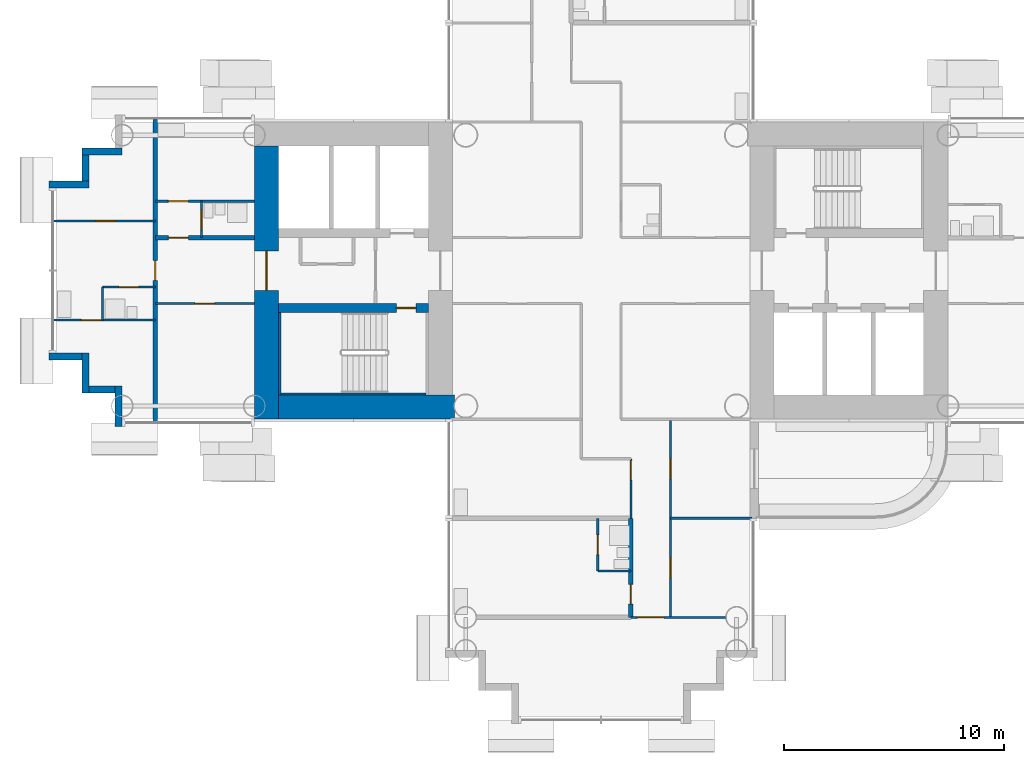
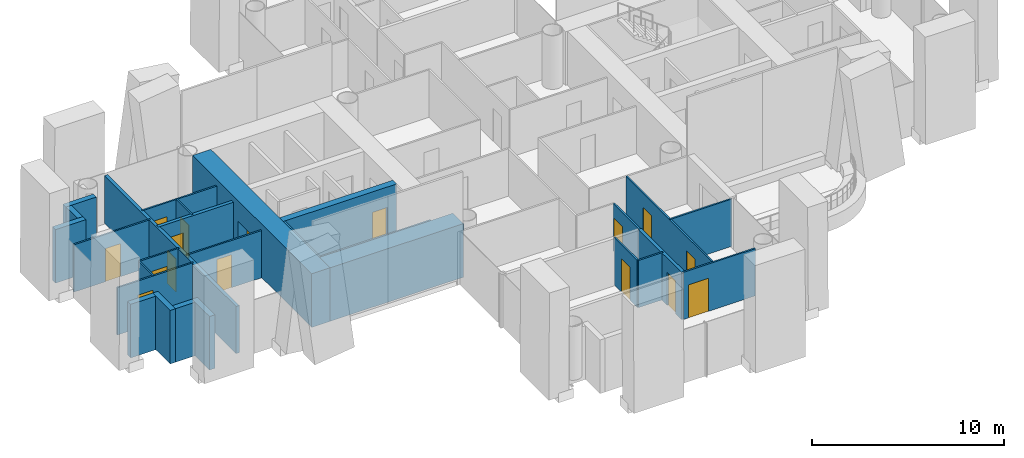
# One storey, part 10 of 23: 28 walls, 16 doors, 16 openings.
"""IFC4 building model written with IfcOpenShell, lengths in metres."""

from ifc_helpers import new_model, si_unit, direction, frame, frame_2d, origin, place, context, subcontext, project, spatial, rectangle, extrude, material, layer, layer_set, type_object, element, fill, save


model = new_model("IFC4")

# Units and contexts
model_context = context("Model", 3, precision=1e-05, world=origin(), true_north=direction((0.0, 1.0)))
body_context = subcontext(model_context, "Body", "Model", "MODEL_VIEW")
ifc_project = project(units=[si_unit("LENGTHUNIT", "METRE"), si_unit("AREAUNIT", "SQUARE_METRE"), si_unit("VOLUMEUNIT", "CUBIC_METRE"), si_unit("PLANEANGLEUNIT", "RADIAN"), si_unit("MASSUNIT", "GRAM", prefix="KILO")], contexts=[model_context])

# Site, building, storey
site_placement = place(None, origin())
site = spatial("IfcSite", under=ifc_project, at=site_placement, CompositionType="ELEMENT")
building_placement = place(site_placement, origin())
building = spatial("IfcBuilding", under=site, at=building_placement, Name="Ipe Terrace Towers", CompositionType="ELEMENT")
storey_placement = place(building_placement, frame((0.0, 0.0, 44.89990234375)))
storey = spatial("IfcBuildingStorey", under=building, at=storey_placement, Name="L11", CompositionType="ELEMENT", Elevation=44.89990234375)

# Walls
ifc_material_1 = material(Name="Concrete C40/50 with buff precast cladding", Category="concrete")
ifc_layer_1 = layer(ifc_material_1, 0.320068359375)
ifc_layer_set_1 = layer_set([ifc_layer_1], Name="BUFF CLADDING WALL 320")
wall_type_1 = type_object("IfcWallType", Name="BUFF CLADDING WALL 320", PredefinedType="STANDARD", material=ifc_layer_set_1)
wall_1_placement = place(storey_placement, frame((-61.070068359375, -3.909912109375, -0.2998046875), z_axis=(0.0, 0.0, 1.0), x_axis=(1.0, 0.0, 0.0)))
element("IfcWall", 1, at=wall_1_placement, inside=storey, type_object=wall_type_1, Name="T1-W-L11-00a wall", PredefinedType="STANDARD", context=body_context, shape_type="SweptSolid", body=[
    extrude(rectangle(XDim=1.5, YDim=0.320068359375, at=frame_2d((0.75, 0.0))), origin(), (0.0, 0.0, 1.0), 3.39990234375),
])
wall_2_placement = place(storey_placement, frame((-59.409912109375, -3.75, -0.2998046875), z_axis=(0.0, 0.0, 1.0), x_axis=(0.0, -1.0, 0.0)))
element("IfcWall", 2, at=wall_2_placement, inside=storey, type_object=wall_type_1, Name="T1-W-L11-01a wall", PredefinedType="STANDARD", context=body_context, shape_type="SweptSolid", body=[
    extrude(rectangle(XDim=1.820068359375, YDim=0.320068359375, at=frame_2d((0.91015625, 0.0))), origin(), (0.0, 0.0, 1.0), 3.39990234375),
])
wall_3_placement = place(storey_placement, frame((-59.25, -5.409912109375, -0.2998046875), z_axis=(0.0, 0.0, 1.0), x_axis=(1.0, 0.0, 0.0)))
element("IfcWall", 3, at=wall_3_placement, inside=storey, type_object=wall_type_1, Name="T1-W-L11-02a wall", PredefinedType="STANDARD", context=body_context, shape_type="SweptSolid", body=[
    extrude(rectangle(XDim=1.179931640625, YDim=0.320068359375, at=frame_2d((0.58984375, 0.0))), origin(), (0.0, 0.0, 1.0), 3.39990234375),
])
for number, where, z_axis, x_axis, name in (
    (4, (-57.909912109375, -5.25, -0.2998046875), (0.0, 0.0, 1.0), (0.0, -1.0, 0.0), "T1-W-L11-03a wall"),
    (5, (-57.75, 5.409912109375, -0.2998046875), (0.0, 0.0, 1.0), (-1.0, 0.0, 0.0), "T1-W-L11-48a wall"),
):
    element("IfcWall", number, at=place(storey_placement, frame(where, z_axis=z_axis, x_axis=x_axis)), inside=storey, type_object=wall_type_1, Name=name, PredefinedType="STANDARD", context=body_context, shape_type="SweptSolid", body=[
        extrude(rectangle(XDim=1.820068359375, YDim=0.320068359375, at=frame_2d((0.91015625, 0.0))), origin(), (0.0, 0.0, 1.0), 3.39990234375),
    ])
wall_4_placement = place(storey_placement, frame((-59.409912109375, 5.25, -0.2998046875), z_axis=(0.0, 0.0, 1.0), x_axis=(0.0, -1.0, 0.0)))
element("IfcWall", 6, at=wall_4_placement, inside=storey, type_object=wall_type_1, Name="T1-W-L11-49a wall", PredefinedType="STANDARD", context=body_context, shape_type="SweptSolid", body=[
    extrude(rectangle(XDim=1.179931640625, YDim=0.320068359375, at=frame_2d((0.58984375, 0.0))), origin(), (0.0, 0.0, 1.0), 3.39990234375),
])
wall_5_placement = place(storey_placement, frame((-59.25, 3.909912109375, -0.2998046875), z_axis=(0.0, 0.0, 1.0), x_axis=(-1.0, 0.0, 0.0)))
element("IfcWall", 7, at=wall_5_placement, inside=storey, type_object=wall_type_1, Name="T1-W-L11-50a wall", PredefinedType="STANDARD", context=body_context, shape_type="SweptSolid", body=[
    extrude(rectangle(XDim=1.820068359375, YDim=0.320068359375, at=frame_2d((0.91015625, 0.0))), origin(), (0.0, 0.0, 1.0), 3.39990234375),
])
ifc_material_2 = material(Name="Gypsum board partition", Category="plasterboard")
ifc_layer_2 = layer(ifc_material_2, 0.10009765625)
ifc_layer_set_2 = layer_set([ifc_layer_2], Name="Gypsum board partition 100 mm")
wall_type_2 = type_object("IfcWallType", Name="Gypsum board partition 100 mm", PredefinedType="PARTITIONING", material=ifc_layer_set_2)
wall_6_placement = place(storey_placement, frame((-58.64990234375, -2.25, 0.0), z_axis=(0.0, 0.0, 1.0), x_axis=(0.0, 1.0, 0.0)))
element("IfcWall", 8, at=wall_6_placement, inside=storey, type_object=wall_type_2, Name="Gypsum board partition T1 L11 W01", PredefinedType="PARTITIONING", context=body_context, shape_type="SweptSolid", body=[
    extrude(rectangle(XDim=1.5, YDim=0.10009765625, at=frame_2d((0.75, 0.0))), origin(), (0.0, 0.0, 1.0), 3.0),
])

# Wall, opening, door
wall_7_placement = place(storey_placement, frame((-54.14990234375, 1.5, 0.0), z_axis=(0.0, 0.0, 1.0), x_axis=(0.0, 1.0, 0.0)))
wall_7 = element("IfcWall", 9, at=wall_7_placement, inside=storey, type_object=wall_type_2, Name="Gypsum board partition T1 L11 W03", PredefinedType="PARTITIONING", context=body_context, shape_type="SweptSolid", body=[
    extrude(rectangle(XDim=1.64990234375, YDim=0.10009765625, at=frame_2d((0.824951171875, 0.0))), origin(), (0.0, 0.0, 1.0), 3.0),
])
opening_1_placement = place(wall_7_placement, frame((0.35009765625, 0.0, 0.0)))
opening_1 = element("IfcOpeningElement", 10, at=opening_1_placement, cuts=wall_7, Name="Opening T1-Z1C-25", PredefinedType="OPENING", context=body_context, shape_type="SweptSolid", body=[
    extrude(rectangle(XDim=0.89990234375, YDim=2.10009765625, at=frame_2d((0.449951171875, 1.050048828125))), frame((0.0, 0.06005859375, 0.0), z_axis=(0.0, -1.0, 0.0), x_axis=(1.0, 0.0, 0.0)), (0.0, 0.0, 1.0), 0.1201171875),
])
ifc_material_3 = material(Name="Timber door leaf", Category="wood")
door_type_1 = type_object("IfcDoorType", Name="Bathroom door 900 x 2100", OperationType="NOTDEFINED", PredefinedType="DOOR", material=ifc_material_3)
door_1_placement = place(opening_1_placement, origin())
door_1 = element("IfcDoor", 11, at=door_1_placement, inside=storey, type_object=door_type_1, Name="Bathroom door T1-Z1C-25", OperationType="SINGLE_SWING_LEFT", OverallHeight=2.10009765625, OverallWidth=0.89990234375, PredefinedType="DOOR", context=body_context, shape_type="SweptSolid", body=[
    extrude(rectangle(XDim=0.89990234375, YDim=2.10009765625, at=frame_2d((0.449951171875, 1.050048828125))), frame((0.0, 0.02490234375, 0.0), z_axis=(0.0, -1.0, 0.0), x_axis=(1.0, 0.0, 0.0)), (0.0, 0.0, 1.0), 0.050048828125),
])
fill(opening_1, door_1)

wall_8_placement = place(storey_placement, frame((-36.14990234375, -13.64990234375, 0.0), z_axis=(0.0, 0.0, 1.0), x_axis=(0.0, 1.0, 0.0)))
wall_8 = element("IfcWall", 12, at=wall_8_placement, inside=storey, type_object=wall_type_2, Name="Gypsum board partition T1 L11 W09", PredefinedType="PARTITIONING", context=body_context, shape_type="SweptSolid", body=[
    extrude(rectangle(XDim=2.39990234375, YDim=0.10009765625, at=frame_2d((1.199951171875, 0.0))), origin(), (0.0, 0.0, 1.0), 3.0),
])
opening_2_placement = place(wall_8_placement, frame((0.75, 0.0, 0.0)))
opening_2 = element("IfcOpeningElement", 13, at=opening_2_placement, cuts=wall_8, Name="Opening T1-Z1C-16", PredefinedType="OPENING", context=body_context, shape_type="SweptSolid", body=[
    extrude(rectangle(XDim=0.89990234375, YDim=2.10009765625, at=frame_2d((0.449951171875, 1.050048828125))), frame((0.0, 0.06005859375, 0.0), z_axis=(0.0, -1.0, 0.0), x_axis=(1.0, 0.0, 0.0)), (0.0, 0.0, 1.0), 0.1201171875),
])
door_2_placement = place(opening_2_placement, origin())
door_2 = element("IfcDoor", 14, at=door_2_placement, inside=storey, type_object=door_type_1, Name="Bathroom door T1-Z1C-16", OperationType="SINGLE_SWING_RIGHT", OverallHeight=2.10009765625, OverallWidth=0.89990234375, PredefinedType="DOOR", context=body_context, shape_type="SweptSolid", body=[
    extrude(rectangle(XDim=0.89990234375, YDim=2.10009765625, at=frame_2d((0.449951171875, 1.050048828125))), frame((0.0, 0.02490234375, 0.0), z_axis=(0.0, -1.0, 0.0), x_axis=(1.0, 0.0, 0.0)), (0.0, 0.0, 1.0), 0.050048828125),
])
fill(opening_2, door_2)

wall_9_placement = place(storey_placement, frame((-34.64990234375, -11.25, 0.0), z_axis=(0.0, 0.0, 1.0), x_axis=(0.0, 1.0, 0.0)))
wall_9 = element("IfcWall", 15, at=wall_9_placement, inside=storey, type_object=wall_type_2, Name="Gypsum board partition T1 L11 W13", PredefinedType="PARTITIONING", context=body_context, shape_type="SweptSolid", body=[
    extrude(rectangle(XDim=2.699951171875, YDim=0.10009765625, at=frame_2d((1.35009765625, 0.0))), origin(), (0.0, 0.0, 1.0), 3.0),
])
opening_3_placement = place(wall_9_placement, frame((1.72998046875, 0.0, 0.0)))
opening_3 = element("IfcOpeningElement", 16, at=opening_3_placement, cuts=wall_9, Name="Opening T1-Z1C-14", PredefinedType="OPENING", context=body_context, shape_type="SweptSolid", body=[
    extrude(rectangle(XDim=0.89990234375, YDim=2.10009765625, at=frame_2d((0.449951171875, 1.050048828125))), frame((0.0, 0.06005859375, 0.0), z_axis=(0.0, -1.0, 0.0), x_axis=(1.0, 0.0, 0.0)), (0.0, 0.0, 1.0), 0.1201171875),
])
ifc_material_4 = material(Name="Timber door leaf", Category="wood")
door_type_2 = type_object("IfcDoorType", Name="Lounge door 900 x 2100", OperationType="NOTDEFINED", PredefinedType="DOOR", material=ifc_material_4)
door_3_placement = place(opening_3_placement, origin())
door_3 = element("IfcDoor", 17, at=door_3_placement, inside=storey, type_object=door_type_2, Name="Lounge door T1-Z1C-14", OperationType="SINGLE_SWING_LEFT", OverallHeight=2.10009765625, OverallWidth=0.89990234375, PredefinedType="DOOR", context=body_context, shape_type="SweptSolid", body=[
    extrude(rectangle(XDim=0.89990234375, YDim=2.10009765625, at=frame_2d((0.449951171875, 1.050048828125))), frame((0.0, 0.02490234375, 0.0), z_axis=(0.0, -1.0, 0.0), x_axis=(1.0, 0.0, 0.0)), (0.0, 0.0, 1.0), 0.050048828125),
])
fill(opening_3, door_3)

# Wall, openings, doors
wall_10_placement = place(storey_placement, frame((-32.85009765625, -15.75, 0.0), z_axis=(0.0, 0.0, 1.0), x_axis=(0.0, 1.0, 0.0)))
wall_10 = element("IfcWall", 18, at=wall_10_placement, inside=storey, type_object=wall_type_2, Name="Gypsum board partition T1 L11 W16", PredefinedType="PARTITIONING", context=body_context, shape_type="SweptSolid", body=[
    extrude(rectangle(XDim=9.0, YDim=0.10009765625, at=frame_2d((4.5, 0.0))), origin(), (0.0, 0.0, 1.0), 3.0),
])
opening_4_placement = place(wall_10_placement, frame((6.300048828125, 0.0, 0.0)))
opening_4 = element("IfcOpeningElement", 19, at=opening_4_placement, cuts=wall_10, Name="Opening T1-Z1C-12", PredefinedType="OPENING", context=body_context, shape_type="SweptSolid", body=[
    extrude(rectangle(XDim=0.89990234375, YDim=2.10009765625, at=frame_2d((0.449951171875, 1.050048828125))), frame((0.0, 0.06005859375, 0.0), z_axis=(0.0, -1.0, 0.0), x_axis=(1.0, 0.0, 0.0)), (0.0, 0.0, 1.0), 0.1201171875),
])
opening_5_placement = place(wall_10_placement, frame((1.800048828125, 0.0, 0.0)))
opening_5 = element("IfcOpeningElement", 20, at=opening_5_placement, cuts=wall_10, Name="Opening T1-Z1C-13", PredefinedType="OPENING", context=body_context, shape_type="SweptSolid", body=[
    extrude(rectangle(XDim=0.89990234375, YDim=2.10009765625, at=frame_2d((0.449951171875, 1.050048828125))), frame((0.0, 0.06005859375, 0.0), z_axis=(0.0, -1.0, 0.0), x_axis=(1.0, 0.0, 0.0)), (0.0, 0.0, 1.0), 0.1201171875),
])
door_4_placement = place(opening_4_placement, origin())
door_4 = element("IfcDoor", 21, at=door_4_placement, inside=storey, type_object=door_type_2, Name="Lounge door T1-Z1C-12", OperationType="SINGLE_SWING_RIGHT", OverallHeight=2.10009765625, OverallWidth=0.89990234375, PredefinedType="DOOR", context=body_context, shape_type="SweptSolid", body=[
    extrude(rectangle(XDim=0.89990234375, YDim=2.10009765625, at=frame_2d((0.449951171875, 1.050048828125))), frame((0.0, 0.02490234375, 0.0), z_axis=(0.0, -1.0, 0.0), x_axis=(1.0, 0.0, 0.0)), (0.0, 0.0, 1.0), 0.050048828125),
])
fill(opening_4, door_4)
door_5_placement = place(opening_5_placement, origin())
door_5 = element("IfcDoor", 22, at=door_5_placement, inside=storey, type_object=door_type_2, Name="Lounge door T1-Z1C-13", OperationType="SINGLE_SWING_LEFT", OverallHeight=2.10009765625, OverallWidth=0.89990234375, PredefinedType="DOOR", context=body_context, shape_type="SweptSolid", body=[
    extrude(rectangle(XDim=0.89990234375, YDim=2.10009765625, at=frame_2d((0.449951171875, 1.050048828125))), frame((0.0, 0.02490234375, 0.0), z_axis=(0.0, -1.0, 0.0), x_axis=(1.0, 0.0, 0.0)), (0.0, 0.0, 1.0), 0.050048828125),
])
fill(opening_5, door_5)

# Wall, opening, door
wall_11_placement = place(storey_placement, frame((-34.64990234375, -15.75, 0.0), z_axis=(0.0, 0.0, 1.0), x_axis=(1.0, 0.0, 0.0)))
wall_11 = element("IfcWall", 23, at=wall_11_placement, inside=storey, type_object=wall_type_2, Name="Gypsum board partition T1 L11 W20", PredefinedType="PARTITIONING", context=body_context, shape_type="SweptSolid", body=[
    extrude(rectangle(XDim=4.2998046875, YDim=0.10009765625, at=frame_2d((2.14990234375, 0.0))), origin(), (0.0, 0.0, 1.0), 3.0),
])
opening_6_placement = place(wall_11_placement, frame((0.300048828125, 0.0, 0.0)))
opening_6 = element("IfcOpeningElement", 24, at=opening_6_placement, cuts=wall_11, Name="Opening T1-Z1C-17", PredefinedType="OPENING", context=body_context, shape_type="SweptSolid", body=[
    extrude(rectangle(XDim=1.199951171875, YDim=2.10009765625, at=frame_2d((0.60009765625, 1.050048828125))), frame((0.0, 0.06005859375, 0.0), z_axis=(0.0, -1.0, 0.0), x_axis=(1.0, 0.0, 0.0)), (0.0, 0.0, 1.0), 0.1201171875),
])
ifc_material_5 = material(Name="Timber door leaf", Category="wood")
door_type_3 = type_object("IfcDoorType", Name="Lounge door 1200 x 2100", OperationType="NOTDEFINED", PredefinedType="DOOR", material=ifc_material_5)
door_6_placement = place(opening_6_placement, origin())
door_6 = element("IfcDoor", 25, at=door_6_placement, inside=storey, type_object=door_type_3, Name="Lounge door T1-Z1C-17", OperationType="SINGLE_SWING_LEFT", OverallHeight=2.10009765625, OverallWidth=1.199951171875, PredefinedType="DOOR", context=body_context, shape_type="SweptSolid", body=[
    extrude(rectangle(XDim=1.199951171875, YDim=2.10009765625, at=frame_2d((0.60009765625, 1.050048828125))), frame((0.0, 0.02490234375, 0.0), z_axis=(0.0, -1.0, 0.0), x_axis=(1.0, 0.0, 0.0)), (0.0, 0.0, 1.0), 0.050048828125),
])
fill(opening_6, door_6)

# Walls
wall_12_placement = place(storey_placement, frame((-36.14990234375, -13.64990234375, 0.0), z_axis=(0.0, 0.0, 1.0), x_axis=(1.0, 0.0, 0.0)))
element("IfcWall", 26, at=wall_12_placement, inside=storey, type_object=wall_type_2, Name="Gypsum board partition T1 L11 W22", PredefinedType="PARTITIONING", context=body_context, shape_type="SweptSolid", body=[
    extrude(rectangle(XDim=1.5, YDim=0.10009765625, at=frame_2d((0.75, 0.0))), origin(), (0.0, 0.0, 1.0), 3.0),
])
wall_13_placement = place(storey_placement, frame((-32.85009765625, -11.25, 0.0), z_axis=(0.0, 0.0, 1.0), x_axis=(1.0, 0.0, 0.0)))
element("IfcWall", 27, at=wall_13_placement, inside=storey, type_object=wall_type_2, Name="Gypsum board partition T1 L11 W23", PredefinedType="PARTITIONING", context=body_context, shape_type="SweptSolid", body=[
    extrude(rectangle(XDim=3.7001953125, YDim=0.10009765625, at=frame_2d((1.85009765625, 0.0))), origin(), (0.0, 0.0, 1.0), 3.0),
])

# Wall, opening, door
wall_14_placement = place(storey_placement, frame((-60.85009765625, -2.25, 0.0), z_axis=(0.0, 0.0, 1.0), x_axis=(1.0, 0.0, 0.0)))
wall_14 = element("IfcWall", 28, at=wall_14_placement, inside=storey, type_object=wall_type_2, Name="Gypsum board partition T1 L11 W28", PredefinedType="PARTITIONING", context=body_context, shape_type="SweptSolid", body=[
    extrude(rectangle(XDim=4.60009765625, YDim=0.10009765625, at=frame_2d((2.300048828125, 0.0))), origin(), (0.0, 0.0, 1.0), 3.0),
])
opening_7_placement = place(wall_14_placement, frame((1.25, 0.0, 0.0)))
opening_7 = element("IfcOpeningElement", 29, at=opening_7_placement, cuts=wall_14, Name="Opening T1-Z1C-28", PredefinedType="OPENING", context=body_context, shape_type="SweptSolid", body=[
    extrude(rectangle(XDim=0.89990234375, YDim=2.10009765625, at=frame_2d((0.449951171875, 1.050048828125))), frame((0.0, 0.06005859375, 0.0), z_axis=(0.0, -1.0, 0.0), x_axis=(1.0, 0.0, 0.0)), (0.0, 0.0, 1.0), 0.1201171875),
])
door_7_placement = place(opening_7_placement, origin())
door_7 = element("IfcDoor", 30, at=door_7_placement, inside=storey, type_object=door_type_2, Name="Lounge door T1-Z1C-28", OperationType="SINGLE_SWING_LEFT", OverallHeight=2.10009765625, OverallWidth=0.89990234375, PredefinedType="DOOR", context=body_context, shape_type="SweptSolid", body=[
    extrude(rectangle(XDim=0.89990234375, YDim=2.10009765625, at=frame_2d((0.449951171875, 1.050048828125))), frame((0.0, 0.02490234375, 0.0), z_axis=(0.0, -1.0, 0.0), x_axis=(1.0, 0.0, 0.0)), (0.0, 0.0, 1.0), 0.050048828125),
])
fill(opening_7, door_7)

wall_15_placement = place(storey_placement, frame((-56.25, -1.5, 0.0), z_axis=(0.0, 0.0, 1.0), x_axis=(1.0, 0.0, 0.0)))
wall_15 = element("IfcWall", 31, at=wall_15_placement, inside=storey, type_object=wall_type_2, Name="Gypsum board partition T1 L11 W29", PredefinedType="PARTITIONING", context=body_context, shape_type="SweptSolid", body=[
    extrude(rectangle(XDim=4.5, YDim=0.10009765625, at=frame_2d((2.25, 0.0))), origin(), (0.0, 0.0, 1.0), 3.0),
])
opening_8_placement = place(wall_15_placement, frame((1.800048828125, 0.0, 0.0)))
opening_8 = element("IfcOpeningElement", 32, at=opening_8_placement, cuts=wall_15, Name="Opening T1-Z1C-22", PredefinedType="OPENING", context=body_context, shape_type="SweptSolid", body=[
    extrude(rectangle(XDim=0.89990234375, YDim=2.10009765625, at=frame_2d((0.449951171875, 1.050048828125))), frame((0.0, 0.06005859375, 0.0), z_axis=(0.0, -1.0, 0.0), x_axis=(1.0, 0.0, 0.0)), (0.0, 0.0, 1.0), 0.1201171875),
])
door_8_placement = place(opening_8_placement, origin())
door_8 = element("IfcDoor", 33, at=door_8_placement, inside=storey, type_object=door_type_2, Name="Lounge door T1-Z1C-22", OperationType="SINGLE_SWING_RIGHT", OverallHeight=2.10009765625, OverallWidth=0.89990234375, PredefinedType="DOOR", context=body_context, shape_type="SweptSolid", body=[
    extrude(rectangle(XDim=0.89990234375, YDim=2.10009765625, at=frame_2d((0.449951171875, 1.050048828125))), frame((0.0, 0.02490234375, 0.0), z_axis=(0.0, -1.0, 0.0), x_axis=(1.0, 0.0, 0.0)), (0.0, 0.0, 1.0), 0.050048828125),
])
fill(opening_8, door_8)

wall_16_placement = place(storey_placement, frame((-58.64990234375, -0.75, 0.0), z_axis=(0.0, 0.0, 1.0), x_axis=(1.0, 0.0, 0.0)))
wall_16 = element("IfcWall", 34, at=wall_16_placement, inside=storey, type_object=wall_type_2, Name="Gypsum board partition T1 L11 W33", PredefinedType="PARTITIONING", context=body_context, shape_type="SweptSolid", body=[
    extrude(rectangle(XDim=2.39990234375, YDim=0.10009765625, at=frame_2d((1.199951171875, 0.0))), origin(), (0.0, 0.0, 1.0), 3.0),
])
opening_9_placement = place(wall_16_placement, frame((0.75, 0.0, 0.0)))
opening_9 = element("IfcOpeningElement", 35, at=opening_9_placement, cuts=wall_16, Name="Opening T1-Z1C-26", PredefinedType="OPENING", context=body_context, shape_type="SweptSolid", body=[
    extrude(rectangle(XDim=0.89990234375, YDim=2.10009765625, at=frame_2d((0.449951171875, 1.050048828125))), frame((0.0, 0.06005859375, 0.0), z_axis=(0.0, -1.0, 0.0), x_axis=(1.0, 0.0, 0.0)), (0.0, 0.0, 1.0), 0.1201171875),
])
door_9_placement = place(opening_9_placement, origin())
door_9 = element("IfcDoor", 36, at=door_9_placement, inside=storey, type_object=door_type_1, Name="Bathroom door T1-Z1C-26", OperationType="SINGLE_SWING_RIGHT", OverallHeight=2.10009765625, OverallWidth=0.89990234375, PredefinedType="DOOR", context=body_context, shape_type="SweptSolid", body=[
    extrude(rectangle(XDim=0.89990234375, YDim=2.10009765625, at=frame_2d((0.449951171875, 1.050048828125))), frame((0.0, 0.02490234375, 0.0), z_axis=(0.0, -1.0, 0.0), x_axis=(1.0, 0.0, 0.0)), (0.0, 0.0, 1.0), 0.050048828125),
])
fill(opening_9, door_9)

wall_17_placement = place(storey_placement, frame((-60.85009765625, 2.25, 0.0), z_axis=(0.0, 0.0, 1.0), x_axis=(1.0, 0.0, 0.0)))
wall_17 = element("IfcWall", 37, at=wall_17_placement, inside=storey, type_object=wall_type_2, Name="Gypsum board partition T1 L11 W38", PredefinedType="PARTITIONING", context=body_context, shape_type="SweptSolid", body=[
    extrude(rectangle(XDim=4.60009765625, YDim=0.10009765625, at=frame_2d((2.300048828125, 0.0))), origin(), (0.0, 0.0, 1.0), 3.0),
])
opening_10_placement = place(wall_17_placement, frame((1.89990234375, 0.0, 0.0)))
opening_10 = element("IfcOpeningElement", 38, at=opening_10_placement, cuts=wall_17, Name="Opening T1-Z1C-29", PredefinedType="OPENING", context=body_context, shape_type="SweptSolid", body=[
    extrude(rectangle(XDim=0.89990234375, YDim=2.10009765625, at=frame_2d((0.449951171875, 1.050048828125))), frame((0.0, 0.06005859375, 0.0), z_axis=(0.0, -1.0, 0.0), x_axis=(1.0, 0.0, 0.0)), (0.0, 0.0, 1.0), 0.1201171875),
])
door_10_placement = place(opening_10_placement, origin())
door_10 = element("IfcDoor", 39, at=door_10_placement, inside=storey, type_object=door_type_2, Name="Lounge door T1-Z1C-29", OperationType="SINGLE_SWING_LEFT", OverallHeight=2.10009765625, OverallWidth=0.89990234375, PredefinedType="DOOR", context=body_context, shape_type="SweptSolid", body=[
    extrude(rectangle(XDim=0.89990234375, YDim=2.10009765625, at=frame_2d((0.449951171875, 1.050048828125))), frame((0.0, 0.02490234375, 0.0), z_axis=(0.0, -1.0, 0.0), x_axis=(1.0, 0.0, 0.0)), (0.0, 0.0, 1.0), 0.050048828125),
])
fill(opening_10, door_10)

wall_18_placement = place(storey_placement, frame((-56.25, 3.14990234375, 0.0), z_axis=(0.0, 0.0, 1.0), x_axis=(1.0, 0.0, 0.0)))
wall_18 = element("IfcWall", 40, at=wall_18_placement, inside=storey, type_object=wall_type_2, Name="Gypsum board partition T1 L11 W40", PredefinedType="PARTITIONING", context=body_context, shape_type="SweptSolid", body=[
    extrude(rectangle(XDim=4.5, YDim=0.10009765625, at=frame_2d((2.25, 0.0))), origin(), (0.0, 0.0, 1.0), 3.0),
])
opening_11_placement = place(wall_18_placement, frame((0.60009765625, 0.0, 0.0)))
opening_11 = element("IfcOpeningElement", 41, at=opening_11_placement, cuts=wall_18, Name="Opening T1-Z1C-24", PredefinedType="OPENING", context=body_context, shape_type="SweptSolid", body=[
    extrude(rectangle(XDim=0.89990234375, YDim=2.10009765625, at=frame_2d((0.449951171875, 1.050048828125))), frame((0.0, 0.06005859375, 0.0), z_axis=(0.0, -1.0, 0.0), x_axis=(1.0, 0.0, 0.0)), (0.0, 0.0, 1.0), 0.1201171875),
])
ifc_material_6 = material(Name="Timber door leaf", Category="wood")
door_type_4 = type_object("IfcDoorType", Name="Bedroom door 900 x 2100", OperationType="NOTDEFINED", PredefinedType="DOOR", material=ifc_material_6)
door_11_placement = place(opening_11_placement, origin())
door_11 = element("IfcDoor", 42, at=door_11_placement, inside=storey, type_object=door_type_4, Name="Bedroom door T1-Z1C-24", OperationType="SINGLE_SWING_RIGHT", OverallHeight=2.10009765625, OverallWidth=0.89990234375, PredefinedType="DOOR", context=body_context, shape_type="SweptSolid", body=[
    extrude(rectangle(XDim=0.89990234375, YDim=2.10009765625, at=frame_2d((0.449951171875, 1.050048828125))), frame((0.0, 0.02490234375, 0.0), z_axis=(0.0, -1.0, 0.0), x_axis=(1.0, 0.0, 0.0)), (0.0, 0.0, 1.0), 0.050048828125),
])
fill(opening_11, door_11)

ifc_material_7 = material(Name="Gypsum board party wall", Category="plasterboard")
ifc_layer_3 = layer(ifc_material_7, 0.199951171875)
ifc_layer_set_3 = layer_set([ifc_layer_3], Name="Gypsum board party wall 200 mm")
wall_type_3 = type_object("IfcWallType", Name="Gypsum board party wall 200 mm", PredefinedType="SOLIDWALL", material=ifc_layer_set_3)
wall_19_placement = place(storey_placement, frame((-56.25, -6.85009765625, 0.0), z_axis=(0.0, 0.0, 1.0), x_axis=(0.0, 1.0, 0.0)))
wall_19 = element("IfcWall", 43, at=wall_19_placement, inside=storey, type_object=wall_type_3, Name="Gypsum board party wall T1 L11 W02", PredefinedType="SOLIDWALL", context=body_context, shape_type="SweptSolid", body=[
    extrude(rectangle(XDim=13.7001953125, YDim=0.199951171875, at=frame_2d((6.85009765625, 0.0))), origin(), (0.0, 0.0, 1.0), 3.0),
])
opening_12_placement = place(wall_19_placement, frame((6.39990234375, 0.0, 0.0)))
opening_12 = element("IfcOpeningElement", 44, at=opening_12_placement, cuts=wall_19, Name="Opening T1-Z1C-27", PredefinedType="OPENING", context=body_context, shape_type="SweptSolid", body=[
    extrude(rectangle(XDim=0.89990234375, YDim=2.10009765625, at=frame_2d((0.449951171875, 1.050048828125))), frame((0.0, 0.10986328125, 0.0), z_axis=(0.0, -1.0, 0.0), x_axis=(1.0, 0.0, 0.0)), (0.0, 0.0, 1.0), 0.219970703125),
])
ifc_material_8 = material(Name="Fire-rated timber door leaf", Category="wood")
door_type_5 = type_object("IfcDoorType", Name="Flat entrance door 900 x 2100 FD30S", OperationType="NOTDEFINED", PredefinedType="DOOR", material=ifc_material_8)
door_12_placement = place(opening_12_placement, origin())
door_12 = element("IfcDoor", 45, at=door_12_placement, inside=storey, type_object=door_type_5, Name="Flat entrance door T1-Z1C-27", OperationType="SINGLE_SWING_LEFT", OverallHeight=2.10009765625, OverallWidth=0.89990234375, PredefinedType="DOOR", context=body_context, shape_type="SweptSolid", body=[
    extrude(rectangle(XDim=0.89990234375, YDim=2.10009765625, at=frame_2d((0.449951171875, 1.050048828125))), frame((0.0, 0.02490234375, 0.0), z_axis=(0.0, -1.0, 0.0), x_axis=(1.0, 0.0, 0.0)), (0.0, 0.0, 1.0), 0.050048828125),
])
fill(opening_12, door_12)

wall_20_placement = place(storey_placement, frame((-34.64990234375, -15.75, 0.0), z_axis=(0.0, 0.0, 1.0), x_axis=(0.0, 1.0, 0.0)))
wall_20 = element("IfcWall", 46, at=wall_20_placement, inside=storey, type_object=wall_type_3, Name="Gypsum board party wall T1 L11 W14", PredefinedType="SOLIDWALL", context=body_context, shape_type="SweptSolid", body=[
    extrude(rectangle(XDim=4.5, YDim=0.199951171875, at=frame_2d((2.25, 0.0))), origin(), (0.0, 0.0, 1.0), 3.0),
])
opening_13_placement = place(wall_20_placement, frame((0.60009765625, 0.0, 0.0)))
opening_13 = element("IfcOpeningElement", 47, at=opening_13_placement, cuts=wall_20, Name="Opening T1-Z1C-15", PredefinedType="OPENING", context=body_context, shape_type="SweptSolid", body=[
    extrude(rectangle(XDim=0.89990234375, YDim=2.10009765625, at=frame_2d((0.449951171875, 1.050048828125))), frame((0.0, 0.10986328125, 0.0), z_axis=(0.0, -1.0, 0.0), x_axis=(1.0, 0.0, 0.0)), (0.0, 0.0, 1.0), 0.219970703125),
])
door_13_placement = place(opening_13_placement, origin())
door_13 = element("IfcDoor", 48, at=door_13_placement, inside=storey, type_object=door_type_5, Name="Flat entrance door T1-Z1C-15", OperationType="SINGLE_SWING_RIGHT", OverallHeight=2.10009765625, OverallWidth=0.89990234375, PredefinedType="DOOR", context=body_context, shape_type="SweptSolid", body=[
    extrude(rectangle(XDim=0.89990234375, YDim=2.10009765625, at=frame_2d((0.449951171875, 1.050048828125))), frame((0.0, 0.02490234375, 0.0), z_axis=(0.0, -1.0, 0.0), x_axis=(1.0, 0.0, 0.0)), (0.0, 0.0, 1.0), 0.050048828125),
])
fill(opening_13, door_13)

wall_21_placement = place(storey_placement, frame((-56.25, 1.5, 0.0), z_axis=(0.0, 0.0, 1.0), x_axis=(1.0, 0.0, 0.0)))
wall_21 = element("IfcWall", 49, at=wall_21_placement, inside=storey, type_object=wall_type_3, Name="Gypsum board party wall T1 L11 W36", PredefinedType="SOLIDWALL", context=body_context, shape_type="SweptSolid", body=[
    extrude(rectangle(XDim=4.5, YDim=0.199951171875, at=frame_2d((2.25, 0.0))), origin(), (0.0, 0.0, 1.0), 3.0),
])
opening_14_placement = place(wall_21_placement, frame((0.60009765625, 0.0, 0.0)))
opening_14 = element("IfcOpeningElement", 50, at=opening_14_placement, cuts=wall_21, Name="Opening T1-Z1C-23", PredefinedType="OPENING", context=body_context, shape_type="SweptSolid", body=[
    extrude(rectangle(XDim=0.89990234375, YDim=2.10009765625, at=frame_2d((0.449951171875, 1.050048828125))), frame((0.0, 0.10986328125, 0.0), z_axis=(0.0, -1.0, 0.0), x_axis=(1.0, 0.0, 0.0)), (0.0, 0.0, 1.0), 0.219970703125),
])
door_14_placement = place(opening_14_placement, origin())
door_14 = element("IfcDoor", 51, at=door_14_placement, inside=storey, type_object=door_type_5, Name="Flat entrance door T1-Z1C-23", OperationType="SINGLE_SWING_RIGHT", OverallHeight=2.10009765625, OverallWidth=0.89990234375, PredefinedType="DOOR", context=body_context, shape_type="SweptSolid", body=[
    extrude(rectangle(XDim=0.89990234375, YDim=2.10009765625, at=frame_2d((0.449951171875, 1.050048828125))), frame((0.0, 0.02490234375, 0.0), z_axis=(0.0, -1.0, 0.0), x_axis=(1.0, 0.0, 0.0)), (0.0, 0.0, 1.0), 0.050048828125),
])
fill(opening_14, door_14)

# Walls
ifc_material_9 = material(Name="Concrete C60/75", Category="concrete")
ifc_layer_4 = layer(ifc_material_9, 0.10009765625)
ifc_layer_set_4 = layer_set([ifc_layer_4], Name="RW100 CORE INFILL WALL 100 C60-75")
wall_type_4 = type_object("IfcWallType", Name="RW100 CORE INFILL WALL 100 C60-75", PredefinedType="SHEAR", material=ifc_layer_set_4)
wall_22_placement = place(storey_placement, frame((-50.60009765625, -1.89990234375, 0.0), z_axis=(0.0, 0.0, 1.0), x_axis=(0.0, -1.0, 0.0)))
element("IfcWall", 52, at=wall_22_placement, inside=storey, type_object=wall_type_4, Name="Core infill wall T1-C2-far", PredefinedType="SHEAR", context=body_context, shape_type="SweptSolid", body=[
    extrude(rectangle(XDim=3.75, YDim=0.10009765625, at=frame_2d((1.875, 0.0))), origin(), (0.0, 0.0, 1.0), 3.400146484375),
])
wall_23_placement = place(storey_placement, frame((-43.949951171875, -5.60009765625, 0.0), z_axis=(0.0, 0.0, 1.0), x_axis=(-1.0, 0.0, 0.0)))
element("IfcWall", 53, at=wall_23_placement, inside=storey, type_object=wall_type_4, Name="Core infill wall T1-C2-back", PredefinedType="SHEAR", context=body_context, shape_type="SweptSolid", body=[
    extrude(rectangle(XDim=6.60009765625, YDim=0.10009765625, at=frame_2d((3.300048828125, 0.0))), origin(), (0.0, 0.0, 1.0), 3.400146484375),
])
ifc_material_10 = material(Name="Concrete C60/75", Category="concrete")
ifc_layer_5 = layer(ifc_material_10, 1.10009765625)
ifc_layer_set_5 = layer_set([ifc_layer_5], Name="RW1100 CORE WALL 1100 C60-75")
wall_type_5 = type_object("IfcWallType", Name="RW1100 CORE WALL 1100 C60-75", PredefinedType="SHEAR", material=ifc_layer_set_5)
wall_24_placement = place(storey_placement, frame((-50.64990234375, -6.199951171875, 0.0), z_axis=(0.0, 0.0, 1.0), x_axis=(1.0, 0.0, 0.0)))
element("IfcWall", 54, at=wall_24_placement, inside=storey, type_object=wall_type_5, Name="Core wall T1-C2-Z1-W01", PredefinedType="SHEAR", context=body_context, shape_type="SweptSolid", body=[
    extrude(rectangle(XDim=7.997802734375, YDim=1.10009765625, at=frame_2d((3.9990234375, 0.0))), origin(), (0.0, 0.0, 1.0), 3.400146484375),
])

# Wall, opening, door
wall_25_placement = place(storey_placement, frame((-51.199951171875, 5.64990234375, 0.0), z_axis=(0.0, 0.0, 1.0), x_axis=(0.0, -1.0, 0.0)))
wall_25 = element("IfcWall", 55, at=wall_25_placement, inside=storey, type_object=wall_type_5, Name="Core wall T1-C2-Z1-W04", PredefinedType="SHEAR", context=body_context, shape_type="SweptSolid", body=[
    extrude(rectangle(XDim=12.39990234375, YDim=1.10009765625, at=frame_2d((6.199951171875, 0.0))), origin(), (0.0, 0.0, 1.0), 3.400146484375),
])
opening_15_placement = place(wall_25_placement, frame((4.75, 0.0, 0.0)))
opening_15 = element("IfcOpeningElement", 56, at=opening_15_placement, cuts=wall_25, Name="Opening T1C2-FD", PredefinedType="OPENING", context=body_context, shape_type="SweptSolid", body=[
    extrude(rectangle(XDim=1.800048828125, YDim=2.10009765625, at=frame_2d((0.89990234375, 1.050048828125))), frame((0.0, 0.56005859375, 0.0), z_axis=(0.0, -1.0, 0.0), x_axis=(1.0, 0.0, 0.0)), (0.0, 0.0, 1.0), 1.1201171875),
])
ifc_material_11 = material(Name="Fire-rated timber door leaf", Category="wood")
door_type_6 = type_object("IfcDoorType", Name="Fire door 1800 x 2100 FD30S", OperationType="NOTDEFINED", PredefinedType="DOOR", material=ifc_material_11)
door_15_placement = place(opening_15_placement, origin())
door_15 = element("IfcDoor", 57, at=door_15_placement, inside=storey, type_object=door_type_6, Name="Fire door T1C2-FD", OperationType="SINGLE_SWING_LEFT", OverallHeight=2.10009765625, OverallWidth=1.800048828125, PredefinedType="DOOR", context=body_context, shape_type="SweptSolid", body=[
    extrude(rectangle(XDim=1.800048828125, YDim=2.10009765625, at=frame_2d((0.89990234375, 1.050048828125))), frame((0.0, 0.02490234375, 0.0), z_axis=(0.0, -1.0, 0.0), x_axis=(1.0, 0.0, 0.0)), (0.0, 0.0, 1.0), 0.050048828125),
])
fill(opening_15, door_15)

ifc_material_12 = material(Name="Concrete C60/75", Category="concrete")
ifc_layer_6 = layer(ifc_material_12, 0.39990234375)
ifc_layer_set_6 = layer_set([ifc_layer_6], Name="RW400 CORE SPINE WALL 400 C60-75")
wall_type_6 = type_object("IfcWallType", Name="RW400 CORE SPINE WALL 400 C60-75", PredefinedType="SHEAR", material=ifc_layer_set_6)
wall_26_placement = place(storey_placement, frame((-50.64990234375, -1.699951171875, 0.0), z_axis=(0.0, 0.0, 1.0), x_axis=(1.0, 0.0, 0.0)))
wall_26 = element("IfcWall", 58, at=wall_26_placement, inside=storey, type_object=wall_type_6, Name="Core spine wall T1-C2-Z1-SW1", PredefinedType="SHEAR", context=body_context, shape_type="SweptSolid", body=[
    extrude(rectangle(XDim=6.7998046875, YDim=0.39990234375, at=frame_2d((3.39990234375, 0.0))), origin(), (0.0, 0.0, 1.0), 3.400146484375),
])
opening_16_placement = place(wall_26_placement, frame((5.35009765625, 0.0, 0.0)))
opening_16 = element("IfcOpeningElement", 59, at=opening_16_placement, cuts=wall_26, Name="Opening T1C2-SD", PredefinedType="OPENING", context=body_context, shape_type="SweptSolid", body=[
    extrude(rectangle(XDim=0.89990234375, YDim=2.10009765625, at=frame_2d((0.449951171875, 1.050048828125))), frame((0.0, 0.2099609375, 0.0), z_axis=(0.0, -1.0, 0.0), x_axis=(1.0, 0.0, 0.0)), (0.0, 0.0, 1.0), 0.419921875),
])
ifc_material_13 = material(Name="Fire-rated timber door leaf", Category="wood")
door_type_7 = type_object("IfcDoorType", Name="Stair door 900 x 2100 FD60", OperationType="NOTDEFINED", PredefinedType="DOOR", material=ifc_material_13)
door_16_placement = place(opening_16_placement, origin())
door_16 = element("IfcDoor", 60, at=door_16_placement, inside=storey, type_object=door_type_7, Name="Stair door T1C2-SD", OperationType="SINGLE_SWING_RIGHT", OverallHeight=2.10009765625, OverallWidth=0.89990234375, PredefinedType="DOOR", context=body_context, shape_type="SweptSolid", body=[
    extrude(rectangle(XDim=0.89990234375, YDim=2.10009765625, at=frame_2d((0.449951171875, 1.050048828125))), frame((0.0, 0.02490234375, 0.0), z_axis=(0.0, -1.0, 0.0), x_axis=(1.0, 0.0, 0.0)), (0.0, 0.0, 1.0), 0.050048828125),
])
fill(opening_16, door_16)

save(model, "model.ifc")
